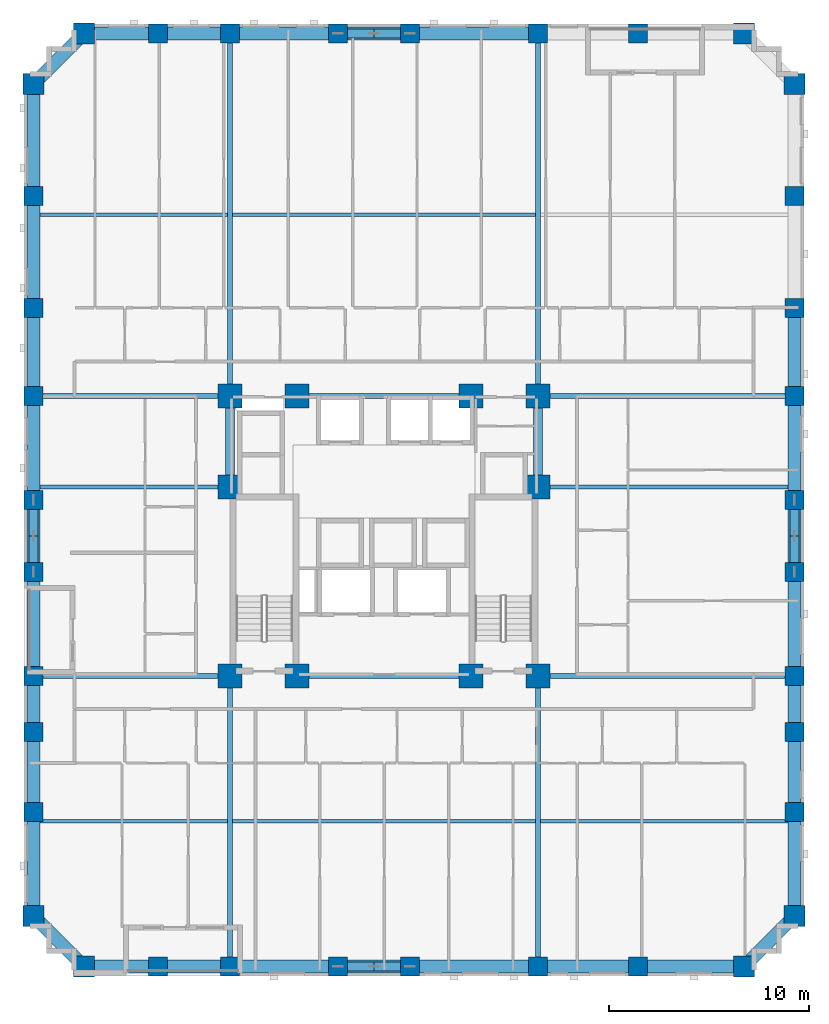
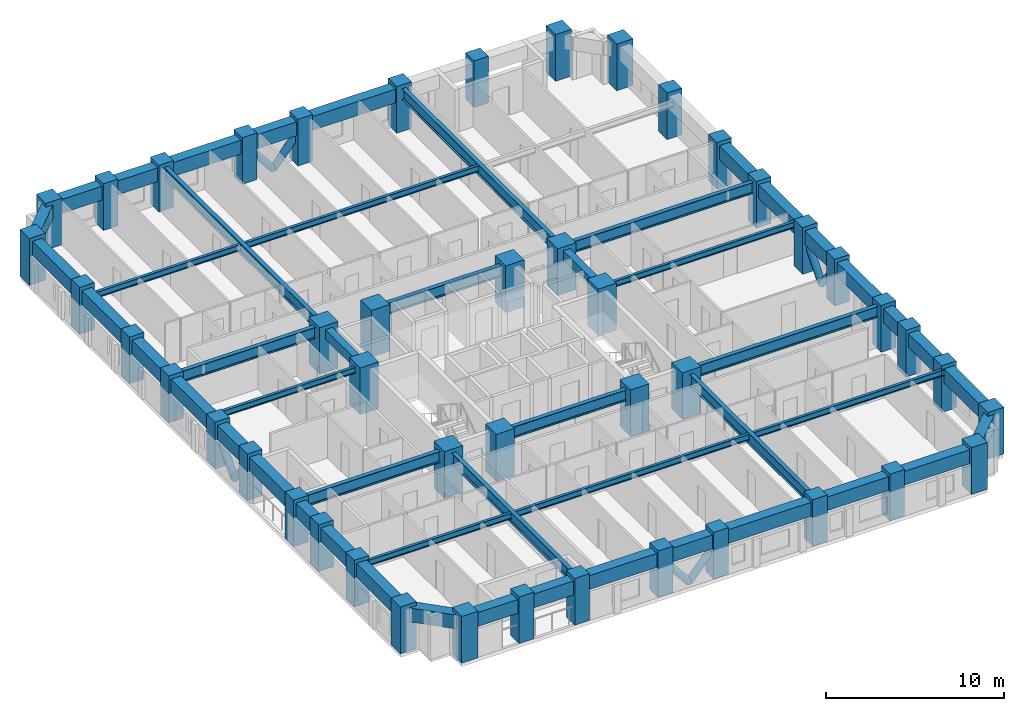
# One storey, part 1 of 14: 50 beams, 46 columns, 8 members.
"""IFC4 building model written with IfcOpenShell, lengths in metres."""

import ifcopenshell
import ifcopenshell.guid

model = None  # the IFC model being written
_history = None  # IfcOwnerHistory: only IFC2X3 demands one
_inside = {}  # id of a spatial element -> (the spatial element, [elements in it])
_under = {}  # id of a project, library or spatial element -> (it, [spatial elements below it])
_declared = {}  # id of a project -> (the project, [libraries it declares])
_typed = {}  # id of a type object -> (the type object, [elements of that type])
_made_of = {}  # id of a material, layer set ... -> (it, [elements and type objects made of it])


def new_model(schema):
    """Start an empty IFC model of exactly this schema.

    Asked for "IFC4X3", IfcOpenShell would pick the latest addendum, in which some entities
    have other attributes; the version numbers below select the first issue.
    IFC2X3 requires an IfcOwnerHistory on every rooted entity: one is made here for all.
    """
    global model, _history
    if schema == "IFC4X3":
        model = ifcopenshell.file(schema_version=(4, 3, 0, 0))
    else:
        model = ifcopenshell.file(schema=schema)
    _inside.clear()
    _under.clear()
    _declared.clear()
    _typed.clear()
    _made_of.clear()
    _history = None
    if model.schema == "IFC2X3":
        org = make("IfcOrganization", Name="unknown")
        user = make(
            "IfcPersonAndOrganization",
            ThePerson=make("IfcPerson", FamilyName="unknown"),
            TheOrganization=org,
        )
        app = make(
            "IfcApplication",
            ApplicationDeveloper=org,
            Version="unknown",
            ApplicationFullName="unknown",
            ApplicationIdentifier="unknown",
        )
        _history = make(
            "IfcOwnerHistory",
            OwningUser=user,
            OwningApplication=app,
            ChangeAction="ADDED",
            CreationDate=0,
        )
    return model


def make(cls, **values):
    """One entity of the class cls with the attributes given. An attribute that is None is left unset."""
    return model.create_entity(
        cls, **{name: value for name, value in values.items() if value is not None}
    )


def rooted(cls, **values):
    """An entity with a GlobalId (a new one), such as an element, a storey or a relation."""
    return make(cls, GlobalId=ifcopenshell.guid.new(), OwnerHistory=_history, **values)


def si_unit(unit_type, name, prefix=None):
    """IfcSIUnit, for example si_unit("LENGTHUNIT", "METRE", prefix="MILLI")."""
    return make("IfcSIUnit", UnitType=unit_type, Prefix=prefix, Name=name)


def derived_unit(unit_type, elements):
    """IfcDerivedUnit: a product of units, each with its exponent."""
    return make(
        "IfcDerivedUnit",
        Elements=[
            make("IfcDerivedUnitElement", Unit=unit, Exponent=power)
            for unit, power in elements
        ],
        UnitType=unit_type,
    )


def assignment(units):
    """IfcUnitAssignment: the units of a project."""
    return None if units is None else make("IfcUnitAssignment", Units=units)


def point(xyz):
    """IfcCartesianPoint."""
    return None if xyz is None else make("IfcCartesianPoint", Coordinates=xyz)


def direction(xyz):
    """IfcDirection."""
    return None if xyz is None else make("IfcDirection", DirectionRatios=xyz)


def frame(location, z_axis=None, x_axis=None):
    """IfcAxis2Placement3D, a coordinate frame: its origin and axes. An axis left out is left unset."""
    return make(
        "IfcAxis2Placement3D",
        Location=point(location),
        Axis=direction(z_axis),
        RefDirection=direction(x_axis),
    )


def frame_2d(location, x_axis=None):
    """IfcAxis2Placement2D, a coordinate frame in the plane: its origin and x axis."""
    return make(
        "IfcAxis2Placement2D", Location=point(location), RefDirection=direction(x_axis)
    )


def origin():
    """The frame at (0, 0, 0) with its axes left unset."""
    return frame((0.0, 0.0, 0.0))


def origin_2d():
    """The frame at (0, 0) in the plane with its x axis left unset."""
    return frame_2d((0.0, 0.0))


def place(relative_to, where):
    """IfcLocalPlacement: puts the frame where relative to a parent placement (None: the world)."""
    return make(
        "IfcLocalPlacement", PlacementRelTo=relative_to, RelativePlacement=where
    )


def context(
    kind, dimensions, precision=None, world=None, true_north=None, identifier=None
):
    """IfcGeometricRepresentationContext, for example the 3D "Model" context."""
    return make(
        "IfcGeometricRepresentationContext",
        ContextIdentifier=identifier,
        ContextType=kind,
        CoordinateSpaceDimension=dimensions,
        Precision=precision,
        WorldCoordinateSystem=world,
        TrueNorth=true_north,
    )


def subcontext(parent, identifier, kind, view, scale=None):
    """IfcGeometricRepresentationSubContext, for example "Body" below "Model"."""
    return make(
        "IfcGeometricRepresentationSubContext",
        ContextIdentifier=identifier,
        ContextType=kind,
        ParentContext=parent,
        TargetScale=scale,
        TargetView=view,
    )


def project(units=None, contexts=None):
    """IfcProject with its units and contexts."""
    return rooted(
        "IfcProject",
        Name="project",
        RepresentationContexts=contexts,
        UnitsInContext=assignment(units),
    )


def spatial(cls, under=None, at=None, **own):
    """A site, building, storey or space (cls), placed at a placement, below another one or the project."""
    s = rooted(cls, ObjectPlacement=at, **own)
    if under is not None:
        _under.setdefault(under.id(), (under, []))[1].append(s)
    return s


def profile(cls, at=None, kind="AREA", **sizes):
    """A parametric profile (cls). Its sizes go by their IFC names, for example OverallWidth=200.0."""
    return make(cls, ProfileType=kind, Position=at, **sizes)


def rectangle(**sizes):
    """IfcRectangleProfileDef."""
    return profile("IfcRectangleProfileDef", **sizes)


def hollow_circle(**sizes):
    """IfcCircleHollowProfileDef."""
    return profile("IfcCircleHollowProfileDef", **sizes)


def i_section(**sizes):
    """IfcIShapeProfileDef."""
    return profile("IfcIShapeProfileDef", **sizes)


def extrude(swept, where, along, depth):
    """IfcExtrudedAreaSolid: the profile swept, set in the frame where, extruded along a direction by depth."""
    return make(
        "IfcExtrudedAreaSolid",
        SweptArea=swept,
        Position=where,
        ExtrudedDirection=direction(along),
        Depth=depth,
    )


def shape(context_of_items, identifier, shape_type, items):
    """IfcShapeRepresentation: the items that make up one representation, for example the "Body"."""
    return make(
        "IfcShapeRepresentation",
        ContextOfItems=context_of_items,
        RepresentationIdentifier=identifier,
        RepresentationType=shape_type,
        Items=items,
    )


def material(Name=None, Category=None):
    """IfcMaterial."""
    return make("IfcMaterial", Name=Name, Category=Category)


def material_profile(
    of_material, cross_section, Name=None, Category=None, Priority=None
):
    """IfcMaterialProfile: a cross section and its material."""
    return make(
        "IfcMaterialProfile",
        Name=Name,
        Material=of_material,
        Profile=cross_section,
        Priority=Priority,
        Category=Category,
    )


def profile_set(profiles, Name=None, composite=None):
    """IfcMaterialProfileSet."""
    return make(
        "IfcMaterialProfileSet",
        Name=Name,
        MaterialProfiles=profiles,
        CompositeProfile=composite,
    )


def made_of(thing, what):
    """Note that an element or type object is made of a material, layer set ...; save() writes the relation."""
    if what is not None:
        _made_of.setdefault(what.id(), (what, []))[1].append(thing)
    return thing


def type_object(cls, material=None, **own):
    """A type object (cls), such as IfcWallType, which elements share."""
    return made_of(rooted(cls, **own), material)


def element(
    cls,
    number,
    at=None,
    inside=None,
    cuts=None,
    type_object=None,
    material=None,
    context=None,
    identifier="Body",
    shape_type=None,
    held_by="IfcProductDefinitionShape",
    body=None,
    shapes=None,
    **own,
):
    """One element of the class cls, such as IfcWall. Its Tag is "e" and its number.

    at: its placement. inside: the storey or other place that contains it. cuts: it is an
    opening in that element (IfcRelVoidsElement). A single representation is given by context,
    identifier, shape_type and body (its items); several are given by shapes. held_by: the class
    of the entity that holds the representations. save() writes the other relations.
    """
    e = rooted(cls, Tag="e%d" % number, ObjectPlacement=at, **own)
    if body is not None:
        shapes = [shape(context, identifier, shape_type, body)]
    if shapes is not None:
        e.Representation = make(held_by, Representations=shapes)
    if inside is not None:
        _inside.setdefault(inside.id(), (inside, []))[1].append(e)
    if cuts is not None:
        rooted(
            "IfcRelVoidsElement", RelatingBuildingElement=cuts, RelatedOpeningElement=e
        )
    if type_object is not None:
        _typed.setdefault(type_object.id(), (type_object, []))[1].append(e)
    return made_of(e, material)


def aggregate(whole, parts):
    """IfcRelAggregates: a whole, such as a stair, and the parts it consists of."""
    return rooted("IfcRelAggregates", RelatingObject=whole, RelatedObjects=parts)


def save(model, path):
    """Write the relations noted so far, then the file.

    IfcRelAggregates (storeys below a building ...), IfcRelContainedInSpatialStructure (elements
    in a storey), IfcRelDefinesByType, IfcRelAssociatesMaterial and IfcRelDeclares: one each for
    every whole, place, type object, material and project.
    """
    for whole, parts in _under.values():
        aggregate(whole, parts)
    for where, things in _inside.values():
        rooted(
            "IfcRelContainedInSpatialStructure",
            RelatedElements=things,
            RelatingStructure=where,
        )
    for kind, things in _typed.values():
        rooted("IfcRelDefinesByType", RelatedObjects=things, RelatingType=kind)
    for what, things in _made_of.values():
        rooted("IfcRelAssociatesMaterial", RelatedObjects=things, RelatingMaterial=what)
    for by, libraries in _declared.values():
        rooted("IfcRelDeclares", RelatingContext=by, RelatedDefinitions=libraries)
    model.write(path)


model = new_model("IFC4")

# Units and contexts
model_context = context("Model", 3, precision=1e-05, world=origin(), true_north=direction((0.0, 1.0)))
body_context = subcontext(model_context, "Body", "Model", "MODEL_VIEW")
ifc_project = project(units=[si_unit("LENGTHUNIT", "METRE"), si_unit("AREAUNIT", "SQUARE_METRE"), si_unit("VOLUMEUNIT", "CUBIC_METRE"), si_unit("PLANEANGLEUNIT", "RADIAN"), si_unit("MASSUNIT", "GRAM", prefix="KILO"), derived_unit("THERMALTRANSMITTANCEUNIT", [(si_unit("MASSUNIT", "GRAM", prefix="KILO"), 1), (si_unit("TIMEUNIT", "SECOND"), -3), (si_unit("THERMODYNAMICTEMPERATUREUNIT", "KELVIN"), -1)])], contexts=[model_context])

# Site, building, storey
site_placement = place(None, origin())
site = spatial("IfcSite", under=ifc_project, at=site_placement, CompositionType="ELEMENT")
building_placement = place(site_placement, origin())
building = spatial("IfcBuilding", under=site, at=building_placement, Name="Korrvale Station Residences", CompositionType="ELEMENT")
storey_placement = place(building_placement, frame((0.0, 0.0, 38.60009765625)))
storey = spatial("IfcBuildingStorey", under=building, at=storey_placement, Name="L09", CompositionType="ELEMENT", Elevation=38.60009765625)

# Columns
ifc_material_1 = material(Name="Concrete C70/85", Category="concrete")
ifc_material_profile_1 = material_profile(ifc_material_1, rectangle(XDim=1.050048828125, YDim=1.050048828125, at=origin_2d()), Name="RC1050x1050")
ifc_profile_set_1 = profile_set([ifc_material_profile_1], Name="Concrete C70/85")
column_type_1 = type_object("IfcColumnType", Name="COL-C-RC1050x1050-C7085", PredefinedType="COLUMN", material=ifc_profile_set_1)
for number, where, z_axis, x_axis, name in (
    (1, (10.5, 0.47998046875, 0.0), (0.0, 0.0, 1.0), (1.0, 0.0, 0.0), "L09 Bundled-Tube South Column 01"),
    (2, (43.5, 0.47998046875, 0.0), (0.0, 0.0, 1.0), (1.0, 0.0, 0.0), "L09 Bundled-Tube South Column 08"),
    (3, (10.5, 47.1201171875, 0.0), (0.0, 0.0, 1.0), (1.0, 0.0, 0.0), "L09 Bundled-Tube North Column 09"),
    (4, (43.5, 47.1201171875, 0.0), (0.0, 0.0, 1.0), (1.0, 0.0, 0.0), "L09 Bundled-Tube North Column 16"),
    (5, (7.97998046875, 3.0, 0.0), (0.0, 0.0, 1.0), (1.0, 0.0, 0.0), "L09 Bundled-Tube West Column 17"),
    (6, (7.97998046875, 44.60009765625, 0.0), (0.0, 0.0, 1.0), (1.0, 0.0, 0.0), "L09 Bundled-Tube West Column 26"),
    (7, (46.02001953125, 3.0, 0.0), (0.0, 0.0, 1.0), (1.0, 0.0, 0.0), "L09 Bundled-Tube East Column 27"),
    (8, (46.02001953125, 44.60009765625, 0.0), (0.0, 0.0, 1.0), (1.0, 0.0, 0.0), "L09 Bundled-Tube East Column 36"),
):
    element("IfcColumn", number, at=place(storey_placement, frame(where, z_axis=z_axis, x_axis=x_axis)), inside=storey, type_object=column_type_1, Name=name, PredefinedType="COLUMN", context=body_context, shape_type="SweptSolid", body=[
        extrude(rectangle(XDim=1.050048828125, YDim=1.050048828125, at=origin_2d()), origin(), (0.0, 0.0, 1.0), 3.199951171875),
    ])
ifc_material_profile_2 = material_profile(ifc_material_1, rectangle(XDim=1.199951171875, YDim=1.199951171875, at=origin_2d()), Name="RC1200x1200")
ifc_profile_set_2 = profile_set([ifc_material_profile_2], Name="Concrete C70/85")
column_type_2 = type_object("IfcColumnType", Name="COL-C-RC1200x1200-C7085", PredefinedType="COLUMN", material=ifc_profile_set_2)
for number, where, z_axis, x_axis, name in (
    (9, (17.800048828125, 15.0, 0.0), (0.0, 0.0, 1.0), (1.0, 0.0, 0.0), "L09 Core Column 01"),
    (10, (21.14990234375, 15.0, 0.0), (0.0, 0.0, 1.0), (1.0, 0.0, 0.0), "L09 Core Column 02"),
    (11, (29.85009765625, 15.0, 0.0), (0.0, 0.0, 1.0), (1.0, 0.0, 0.0), "L09 Core Column 03"),
    (12, (33.199951171875, 15.0, 0.0), (0.0, 0.0, 1.0), (1.0, 0.0, 0.0), "L09 Core Column 04"),
    (13, (17.800048828125, 29.0, 0.0), (0.0, 0.0, 1.0), (1.0, 0.0, 0.0), "L09 Core Column 05"),
    (14, (21.14990234375, 29.0, 0.0), (0.0, 0.0, 1.0), (1.0, 0.0, 0.0), "L09 Core Column 06"),
    (15, (29.85009765625, 29.0, 0.0), (0.0, 0.0, 1.0), (1.0, 0.0, 0.0), "L09 Core Column 07"),
    (16, (33.199951171875, 29.0, 0.0), (0.0, 0.0, 1.0), (1.0, 0.0, 0.0), "L09 Core Column 08"),
    (17, (17.800048828125, 24.449951171875, 0.0), (0.0, 0.0, 1.0), (1.0, 0.0, 0.0), "L09 Core Column 09"),
    (18, (33.199951171875, 24.449951171875, 0.0), (0.0, 0.0, 1.0), (1.0, 0.0, 0.0), "L09 Core Column 10"),
):
    element("IfcColumn", number, at=place(storey_placement, frame(where, z_axis=z_axis, x_axis=x_axis)), inside=storey, type_object=column_type_2, Name=name, PredefinedType="COLUMN", context=body_context, shape_type="SweptSolid", body=[
        extrude(rectangle(XDim=1.199951171875, YDim=1.199951171875, at=origin_2d()), origin(), (0.0, 0.0, 1.0), 3.199951171875),
    ])
ifc_material_profile_3 = material_profile(ifc_material_1, rectangle(XDim=0.949951171875, YDim=0.949951171875, at=origin_2d()), Name="RC950x950")
ifc_profile_set_3 = profile_set([ifc_material_profile_3], Name="Concrete C70/85")
column_type_3 = type_object("IfcColumnType", Name="COL-C-RC950x950-C7085", PredefinedType="COLUMN", material=ifc_profile_set_3)
for number, where, z_axis, x_axis, name in (
    (19, (14.199951171875, 0.47998046875, 0.0), (0.0, 0.0, 1.0), (1.0, 0.0, 0.0), "L09 Bundled-Tube South Column 02"),
    (20, (17.800048828125, 0.47998046875, 0.0), (0.0, 0.0, 1.0), (1.0, 0.0, 0.0), "L09 Bundled-Tube South Column 03"),
    (21, (23.199951171875, 0.47998046875, 0.0), (0.0, 0.0, 1.0), (1.0, 0.0, 0.0), "L09 Bundled-Tube South Column 04"),
    (22, (26.800048828125, 0.47998046875, 0.0), (0.0, 0.0, 1.0), (1.0, 0.0, 0.0), "L09 Bundled-Tube South Column 05"),
    (23, (33.199951171875, 0.47998046875, 0.0), (0.0, 0.0, 1.0), (1.0, 0.0, 0.0), "L09 Bundled-Tube South Column 06"),
    (24, (38.199951171875, 0.47998046875, 0.0), (0.0, 0.0, 1.0), (1.0, 0.0, 0.0), "L09 Bundled-Tube South Column 07"),
    (25, (14.199951171875, 47.1201171875, 0.0), (0.0, 0.0, 1.0), (1.0, 0.0, 0.0), "L09 Bundled-Tube North Column 10"),
    (26, (17.800048828125, 47.1201171875, 0.0), (0.0, 0.0, 1.0), (1.0, 0.0, 0.0), "L09 Bundled-Tube North Column 11"),
    (27, (23.199951171875, 47.1201171875, 0.0), (0.0, 0.0, 1.0), (1.0, 0.0, 0.0), "L09 Bundled-Tube North Column 12"),
    (28, (26.800048828125, 47.1201171875, 0.0), (0.0, 0.0, 1.0), (1.0, 0.0, 0.0), "L09 Bundled-Tube North Column 13"),
    (29, (33.199951171875, 47.1201171875, 0.0), (0.0, 0.0, 1.0), (1.0, 0.0, 0.0), "L09 Bundled-Tube North Column 14"),
    (30, (38.199951171875, 47.1201171875, 0.0), (0.0, 0.0, 1.0), (1.0, 0.0, 0.0), "L09 Bundled-Tube North Column 15"),
    (31, (7.97998046875, 8.199951171875, 0.0), (0.0, 0.0, 1.0), (1.0, 0.0, 0.0), "L09 Bundled-Tube West Column 18"),
    (32, (7.97998046875, 12.199951171875, 0.0), (0.0, 0.0, 1.0), (1.0, 0.0, 0.0), "L09 Bundled-Tube West Column 19"),
    (33, (7.97998046875, 15.0, 0.0), (0.0, 0.0, 1.0), (1.0, 0.0, 0.0), "L09 Bundled-Tube West Column 20"),
    (34, (7.97998046875, 20.199951171875, 0.0), (0.0, 0.0, 1.0), (1.0, 0.0, 0.0), "L09 Bundled-Tube West Column 21"),
    (35, (7.97998046875, 23.800048828125, 0.0), (0.0, 0.0, 1.0), (1.0, 0.0, 0.0), "L09 Bundled-Tube West Column 22"),
    (36, (7.97998046875, 29.0, 0.0), (0.0, 0.0, 1.0), (1.0, 0.0, 0.0), "L09 Bundled-Tube West Column 23"),
    (37, (7.97998046875, 33.39990234375, 0.0), (0.0, 0.0, 1.0), (1.0, 0.0, 0.0), "L09 Bundled-Tube West Column 24"),
    (38, (7.97998046875, 39.0, 0.0), (0.0, 0.0, 1.0), (1.0, 0.0, 0.0), "L09 Bundled-Tube West Column 25"),
    (39, (46.02001953125, 8.199951171875, 0.0), (0.0, 0.0, 1.0), (1.0, 0.0, 0.0), "L09 Bundled-Tube East Column 28"),
    (40, (46.02001953125, 12.199951171875, 0.0), (0.0, 0.0, 1.0), (1.0, 0.0, 0.0), "L09 Bundled-Tube East Column 29"),
    (41, (46.02001953125, 15.0, 0.0), (0.0, 0.0, 1.0), (1.0, 0.0, 0.0), "L09 Bundled-Tube East Column 30"),
    (42, (46.02001953125, 20.199951171875, 0.0), (0.0, 0.0, 1.0), (1.0, 0.0, 0.0), "L09 Bundled-Tube East Column 31"),
    (43, (46.02001953125, 23.800048828125, 0.0), (0.0, 0.0, 1.0), (1.0, 0.0, 0.0), "L09 Bundled-Tube East Column 32"),
    (44, (46.02001953125, 29.0, 0.0), (0.0, 0.0, 1.0), (1.0, 0.0, 0.0), "L09 Bundled-Tube East Column 33"),
    (45, (46.02001953125, 33.39990234375, 0.0), (0.0, 0.0, 1.0), (1.0, 0.0, 0.0), "L09 Bundled-Tube East Column 34"),
    (46, (46.02001953125, 39.0, 0.0), (0.0, 0.0, 1.0), (1.0, 0.0, 0.0), "L09 Bundled-Tube East Column 35"),
):
    element("IfcColumn", number, at=place(storey_placement, frame(where, z_axis=z_axis, x_axis=x_axis)), inside=storey, type_object=column_type_3, Name=name, PredefinedType="COLUMN", context=body_context, shape_type="SweptSolid", body=[
        extrude(rectangle(XDim=0.949951171875, YDim=0.949951171875, at=origin_2d()), origin(), (0.0, 0.0, 1.0), 3.199951171875),
    ])

# Beams
ifc_material_2 = material(Name="Steel S355", Category="steel")
ifc_material_profile_4 = material_profile(ifc_material_2, i_section(OverallWidth=0.26806640625, OverallDepth=0.77001953125, WebThickness=0.015625, FlangeThickness=0.025390625, FilletRadius=0.02197265625, at=origin_2d()), Name="W760x196")
ifc_profile_set_4 = profile_set([ifc_material_profile_4], Name="Steel S355")
beam_type_1 = type_object("IfcBeamType", Name="BM-BM-W760x196-S355", PredefinedType="BEAM", material=ifc_profile_set_4)
for number, where, z_axis, x_axis, name in (
    (47, (17.800048828125, 0.47998046875, 2.554931640625), (0.0, 1.0, 0.0), (-1.0, 0.0, 0.0), "L09 Bundled-Tube Web Girder 01"),
    (48, (33.199951171875, 0.47998046875, 2.554931640625), (0.0, 1.0, 0.0), (-1.0, 0.0, 0.0), "L09 Bundled-Tube Web Girder 02"),
):
    element("IfcBeam", number, at=place(storey_placement, frame(where, z_axis=z_axis, x_axis=x_axis)), inside=storey, type_object=beam_type_1, Name=name, PredefinedType="BEAM", context=body_context, shape_type="SweptSolid", body=[
        extrude(i_section(OverallWidth=0.26806640625, OverallDepth=0.77001953125, WebThickness=0.015625, FlangeThickness=0.025390625, FilletRadius=0.02197265625, at=origin_2d()), origin(), (0.0, 0.0, 1.0), 14.52001953125),
    ])
for number, where, z_axis, x_axis, name in (
    (49, (17.800048828125, 29.0, 2.554931640625), (0.0, 1.0, 0.0), (-1.0, 0.0, 0.0), "L09 Bundled-Tube Web Girder 03"),
    (50, (33.199951171875, 29.0, 2.554931640625), (0.0, 1.0, 0.0), (-1.0, 0.0, 0.0), "L09 Bundled-Tube Web Girder 04"),
):
    element("IfcBeam", number, at=place(storey_placement, frame(where, z_axis=z_axis, x_axis=x_axis)), inside=storey, type_object=beam_type_1, Name=name, PredefinedType="BEAM", context=body_context, shape_type="SweptSolid", body=[
        extrude(i_section(OverallWidth=0.26806640625, OverallDepth=0.77001953125, WebThickness=0.015625, FlangeThickness=0.025390625, FilletRadius=0.02197265625, at=origin_2d()), origin(), (0.0, 0.0, 1.0), 18.1201171875),
    ])
beam_1_placement = place(storey_placement, frame((7.97998046875, 15.0, 2.554931640625), z_axis=(1.0, 0.0, 0.0), x_axis=(0.0, 1.0, 0.0)))
element("IfcBeam", 51, at=beam_1_placement, inside=storey, type_object=beam_type_1, Name="L09 Bundled-Tube Web Girder 05", PredefinedType="BEAM", context=body_context, shape_type="SweptSolid", body=[
    extrude(i_section(OverallWidth=0.26806640625, OverallDepth=0.77001953125, WebThickness=0.015625, FlangeThickness=0.025390625, FilletRadius=0.02197265625, at=origin_2d()), origin(), (0.0, 0.0, 1.0), 9.820068359375),
])
beam_2_placement = place(storey_placement, frame((33.199951171875, 15.0, 2.554931640625), z_axis=(1.0, 0.0, 0.0), x_axis=(0.0, 1.0, 0.0)))
element("IfcBeam", 52, at=beam_2_placement, inside=storey, type_object=beam_type_1, Name="L09 Bundled-Tube Web Girder 06", PredefinedType="BEAM", context=body_context, shape_type="SweptSolid", body=[
    extrude(i_section(OverallWidth=0.26806640625, OverallDepth=0.77001953125, WebThickness=0.015625, FlangeThickness=0.025390625, FilletRadius=0.02197265625, at=origin_2d()), origin(), (0.0, 0.0, 1.0), 12.820068359375),
])
beam_3_placement = place(storey_placement, frame((7.97998046875, 29.0, 2.554931640625), z_axis=(1.0, 0.0, 0.0), x_axis=(0.0, 1.0, 0.0)))
element("IfcBeam", 53, at=beam_3_placement, inside=storey, type_object=beam_type_1, Name="L09 Bundled-Tube Web Girder 07", PredefinedType="BEAM", context=body_context, shape_type="SweptSolid", body=[
    extrude(i_section(OverallWidth=0.26806640625, OverallDepth=0.77001953125, WebThickness=0.015625, FlangeThickness=0.025390625, FilletRadius=0.02197265625, at=origin_2d()), origin(), (0.0, 0.0, 1.0), 9.820068359375),
])
beam_4_placement = place(storey_placement, frame((33.199951171875, 29.0, 2.554931640625), z_axis=(1.0, 0.0, 0.0), x_axis=(0.0, 1.0, 0.0)))
element("IfcBeam", 54, at=beam_4_placement, inside=storey, type_object=beam_type_1, Name="L09 Bundled-Tube Web Girder 08", PredefinedType="BEAM", context=body_context, shape_type="SweptSolid", body=[
    extrude(i_section(OverallWidth=0.26806640625, OverallDepth=0.77001953125, WebThickness=0.015625, FlangeThickness=0.025390625, FilletRadius=0.02197265625, at=origin_2d()), origin(), (0.0, 0.0, 1.0), 12.820068359375),
])
for number, where, z_axis, x_axis, name in (
    (55, (21.14990234375, 15.0, 2.554931640625), (1.0, 0.0, 0.0), (0.0, 1.0, 0.0), "L09 Bundled-Tube Web Girder 09"),
    (56, (21.14990234375, 29.0, 2.554931640625), (1.0, 0.0, 0.0), (0.0, 1.0, 0.0), "L09 Bundled-Tube Web Girder 10"),
):
    element("IfcBeam", number, at=place(storey_placement, frame(where, z_axis=z_axis, x_axis=x_axis)), inside=storey, type_object=beam_type_1, Name=name, PredefinedType="BEAM", context=body_context, shape_type="SweptSolid", body=[
        extrude(i_section(OverallWidth=0.26806640625, OverallDepth=0.77001953125, WebThickness=0.015625, FlangeThickness=0.025390625, FilletRadius=0.02197265625, at=origin_2d()), origin(), (0.0, 0.0, 1.0), 8.7001953125),
    ])
ifc_material_profile_5 = material_profile(ifc_material_2, i_section(OverallWidth=0.180908203125, OverallDepth=0.4169921875, WebThickness=0.010986328125, FlangeThickness=0.018310546875, FilletRadius=0.01611328125, at=origin_2d()), Name="W410x85")
ifc_profile_set_5 = profile_set([ifc_material_profile_5], Name="Steel S355")
beam_type_2 = type_object("IfcBeamType", Name="BM-JST-W410x85-S355", PredefinedType="JOIST", material=ifc_profile_set_5)
beam_5_placement = place(storey_placement, frame((8.304931640625, 7.739990234375, 2.7314453125), z_axis=(1.0, 0.0, 0.0), x_axis=(0.0, 1.0, 0.0)))
element("IfcBeam", 57, at=beam_5_placement, inside=storey, type_object=beam_type_2, Name="L09 Floor Framing Joist 01", PredefinedType="JOIST", context=body_context, shape_type="SweptSolid", body=[
    extrude(i_section(OverallWidth=0.180908203125, OverallDepth=0.4169921875, WebThickness=0.010986328125, FlangeThickness=0.018310546875, FilletRadius=0.01611328125, at=origin_2d()), origin(), (0.0, 0.0, 1.0), 9.361083984375),
])
beam_6_placement = place(storey_placement, frame((17.93408203125, 7.739990234375, 2.7314453125), z_axis=(1.0, 0.0, 0.0), x_axis=(0.0, 1.0, 0.0)))
element("IfcBeam", 58, at=beam_6_placement, inside=storey, type_object=beam_type_2, Name="L09 Floor Framing Joist 02", PredefinedType="JOIST", context=body_context, shape_type="SweptSolid", body=[
    extrude(i_section(OverallWidth=0.180908203125, OverallDepth=0.4169921875, WebThickness=0.010986328125, FlangeThickness=0.018310546875, FilletRadius=0.01611328125, at=origin_2d()), origin(), (0.0, 0.0, 1.0), 15.1318359375),
])
beam_7_placement = place(storey_placement, frame((33.333984375, 7.739990234375, 2.7314453125), z_axis=(1.0, 0.0, 0.0), x_axis=(0.0, 1.0, 0.0)))
element("IfcBeam", 59, at=beam_7_placement, inside=storey, type_object=beam_type_2, Name="L09 Floor Framing Joist 03", PredefinedType="JOIST", context=body_context, shape_type="SweptSolid", body=[
    extrude(i_section(OverallWidth=0.180908203125, OverallDepth=0.4169921875, WebThickness=0.010986328125, FlangeThickness=0.018310546875, FilletRadius=0.01611328125, at=origin_2d()), origin(), (0.0, 0.0, 1.0), 12.361083984375),
])
beam_8_placement = place(storey_placement, frame((8.304931640625, 38.06005859375, 2.7314453125), z_axis=(1.0, 0.0, 0.0), x_axis=(0.0, 1.0, 0.0)))
element("IfcBeam", 60, at=beam_8_placement, inside=storey, type_object=beam_type_2, Name="L09 Floor Framing Joist 04", PredefinedType="JOIST", context=body_context, shape_type="SweptSolid", body=[
    extrude(i_section(OverallWidth=0.180908203125, OverallDepth=0.4169921875, WebThickness=0.010986328125, FlangeThickness=0.018310546875, FilletRadius=0.01611328125, at=origin_2d()), origin(), (0.0, 0.0, 1.0), 9.361083984375),
])
beam_9_placement = place(storey_placement, frame((17.93408203125, 38.06005859375, 2.7314453125), z_axis=(1.0, 0.0, 0.0), x_axis=(0.0, 1.0, 0.0)))
element("IfcBeam", 61, at=beam_9_placement, inside=storey, type_object=beam_type_2, Name="L09 Floor Framing Joist 05", PredefinedType="JOIST", context=body_context, shape_type="SweptSolid", body=[
    extrude(i_section(OverallWidth=0.180908203125, OverallDepth=0.4169921875, WebThickness=0.010986328125, FlangeThickness=0.018310546875, FilletRadius=0.01611328125, at=origin_2d()), origin(), (0.0, 0.0, 1.0), 15.1318359375),
])
beam_10_placement = place(storey_placement, frame((33.425048828125, 24.449951171875, 2.7314453125), z_axis=(1.0, 0.0, 0.0), x_axis=(0.0, 1.0, 0.0)))
element("IfcBeam", 62, at=beam_10_placement, inside=storey, type_object=beam_type_2, Name="L09 Floor Framing Joist 07", PredefinedType="JOIST", context=body_context, shape_type="SweptSolid", body=[
    extrude(i_section(OverallWidth=0.180908203125, OverallDepth=0.4169921875, WebThickness=0.010986328125, FlangeThickness=0.018310546875, FilletRadius=0.01611328125, at=origin_2d()), origin(), (0.0, 0.0, 1.0), 12.27001953125),
])
beam_11_placement = place(storey_placement, frame((8.304931640625, 24.449951171875, 2.7314453125), z_axis=(1.0, 0.0, 0.0), x_axis=(0.0, 1.0, 0.0)))
element("IfcBeam", 63, at=beam_11_placement, inside=storey, type_object=beam_type_2, Name="L09 Floor Framing Joist 08", PredefinedType="JOIST", context=body_context, shape_type="SweptSolid", body=[
    extrude(i_section(OverallWidth=0.180908203125, OverallDepth=0.4169921875, WebThickness=0.010986328125, FlangeThickness=0.018310546875, FilletRadius=0.01611328125, at=origin_2d()), origin(), (0.0, 0.0, 1.0), 9.27001953125),
])
ifc_material_profile_6 = material_profile(ifc_material_1, rectangle(XDim=0.449951171875, YDim=0.64990234375, at=origin_2d()), Name="RCB450x650")
ifc_profile_set_6 = profile_set([ifc_material_profile_6], Name="Concrete C70/85")
beam_type_3 = type_object("IfcBeamType", Name="BM-LNT-RCB450x650-C7085", PredefinedType="LINTEL", material=ifc_profile_set_6)
for number, where, z_axis, x_axis, name in (
    (64, (17.800048828125, 24.449951171875, 2.614990234375), (0.0, 1.0, 0.0), (-1.0, 0.0, 0.0), "L09 Core Coupling Lintel 1"),
    (65, (33.199951171875, 24.449951171875, 2.614990234375), (0.0, 1.0, 0.0), (-1.0, 0.0, 0.0), "L09 Core Coupling Lintel 2"),
):
    element("IfcBeam", number, at=place(storey_placement, frame(where, z_axis=z_axis, x_axis=x_axis)), inside=storey, type_object=beam_type_3, Name=name, PredefinedType="LINTEL", context=body_context, shape_type="SweptSolid", body=[
        extrude(rectangle(XDim=0.449951171875, YDim=0.64990234375, at=origin_2d()), origin(), (0.0, 0.0, 1.0), 4.550048828125),
    ])
ifc_material_profile_7 = material_profile(ifc_material_1, rectangle(XDim=0.64990234375, YDim=0.949951171875, at=origin_2d()), Name="RCB650x950")
ifc_profile_set_7 = profile_set([ifc_material_profile_7], Name="Concrete C70/85")
beam_type_4 = type_object("IfcBeamType", Name="BM-SPB-RCB650x950-C7085", PredefinedType="SPANDREL", material=ifc_profile_set_7)
beam_12_placement = place(storey_placement, frame((10.5, 0.47998046875, 2.46484375), z_axis=(1.0, 0.0, 0.0), x_axis=(0.0, 1.0, 0.0)))
element("IfcBeam", 66, at=beam_12_placement, inside=storey, type_object=beam_type_4, Name="L09 South Tube Spandrel 01", PredefinedType="SPANDREL", context=body_context, shape_type="SweptSolid", body=[
    extrude(rectangle(XDim=0.64990234375, YDim=0.949951171875, at=origin_2d()), origin(), (0.0, 0.0, 1.0), 3.699951171875),
])
beam_13_placement = place(storey_placement, frame((14.199951171875, 0.47998046875, 2.46484375), z_axis=(1.0, 0.0, 0.0), x_axis=(0.0, 1.0, 0.0)))
element("IfcBeam", 67, at=beam_13_placement, inside=storey, type_object=beam_type_4, Name="L09 South Tube Spandrel 02", PredefinedType="SPANDREL", context=body_context, shape_type="SweptSolid", body=[
    extrude(rectangle(XDim=0.64990234375, YDim=0.949951171875, at=origin_2d()), origin(), (0.0, 0.0, 1.0), 3.60009765625),
])
beam_14_placement = place(storey_placement, frame((17.800048828125, 0.47998046875, 2.46484375), z_axis=(1.0, 0.0, 0.0), x_axis=(0.0, 1.0, 0.0)))
element("IfcBeam", 68, at=beam_14_placement, inside=storey, type_object=beam_type_4, Name="L09 South Tube Spandrel 03", PredefinedType="SPANDREL", context=body_context, shape_type="SweptSolid", body=[
    extrude(rectangle(XDim=0.64990234375, YDim=0.949951171875, at=origin_2d()), origin(), (0.0, 0.0, 1.0), 5.39990234375),
])
beam_15_placement = place(storey_placement, frame((23.199951171875, 0.47998046875, 2.46484375), z_axis=(1.0, 0.0, 0.0), x_axis=(0.0, 1.0, 0.0)))
element("IfcBeam", 69, at=beam_15_placement, inside=storey, type_object=beam_type_4, Name="L09 South Tube Spandrel 04", PredefinedType="SPANDREL", context=body_context, shape_type="SweptSolid", body=[
    extrude(rectangle(XDim=0.64990234375, YDim=0.949951171875, at=origin_2d()), origin(), (0.0, 0.0, 1.0), 3.60009765625),
])
beam_16_placement = place(storey_placement, frame((26.800048828125, 0.47998046875, 2.46484375), z_axis=(1.0, 0.0, 0.0), x_axis=(0.0, 1.0, 0.0)))
element("IfcBeam", 70, at=beam_16_placement, inside=storey, type_object=beam_type_4, Name="L09 South Tube Spandrel 05", PredefinedType="SPANDREL", context=body_context, shape_type="SweptSolid", body=[
    extrude(rectangle(XDim=0.64990234375, YDim=0.949951171875, at=origin_2d()), origin(), (0.0, 0.0, 1.0), 6.39990234375),
])
beam_17_placement = place(storey_placement, frame((33.199951171875, 0.47998046875, 2.46484375), z_axis=(1.0, 0.0, 0.0), x_axis=(0.0, 1.0, 0.0)))
element("IfcBeam", 71, at=beam_17_placement, inside=storey, type_object=beam_type_4, Name="L09 South Tube Spandrel 06", PredefinedType="SPANDREL", context=body_context, shape_type="SweptSolid", body=[
    extrude(rectangle(XDim=0.64990234375, YDim=0.949951171875, at=origin_2d()), origin(), (0.0, 0.0, 1.0), 5.0),
])
beam_18_placement = place(storey_placement, frame((38.199951171875, 0.47998046875, 2.46484375), z_axis=(1.0, 0.0, 0.0), x_axis=(0.0, 1.0, 0.0)))
element("IfcBeam", 72, at=beam_18_placement, inside=storey, type_object=beam_type_4, Name="L09 South Tube Spandrel 07", PredefinedType="SPANDREL", context=body_context, shape_type="SweptSolid", body=[
    extrude(rectangle(XDim=0.64990234375, YDim=0.949951171875, at=origin_2d()), origin(), (0.0, 0.0, 1.0), 5.300048828125),
])
beam_19_placement = place(storey_placement, frame((10.5, 47.1201171875, 2.46484375), z_axis=(1.0, 0.0, 0.0), x_axis=(0.0, 1.0, 0.0)))
element("IfcBeam", 73, at=beam_19_placement, inside=storey, type_object=beam_type_4, Name="L09 North Tube Spandrel 08", PredefinedType="SPANDREL", context=body_context, shape_type="SweptSolid", body=[
    extrude(rectangle(XDim=0.64990234375, YDim=0.949951171875, at=origin_2d()), origin(), (0.0, 0.0, 1.0), 3.699951171875),
])
beam_20_placement = place(storey_placement, frame((14.199951171875, 47.1201171875, 2.46484375), z_axis=(1.0, 0.0, 0.0), x_axis=(0.0, 1.0, 0.0)))
element("IfcBeam", 74, at=beam_20_placement, inside=storey, type_object=beam_type_4, Name="L09 North Tube Spandrel 09", PredefinedType="SPANDREL", context=body_context, shape_type="SweptSolid", body=[
    extrude(rectangle(XDim=0.64990234375, YDim=0.949951171875, at=origin_2d()), origin(), (0.0, 0.0, 1.0), 3.60009765625),
])
beam_21_placement = place(storey_placement, frame((17.800048828125, 47.1201171875, 2.46484375), z_axis=(1.0, 0.0, 0.0), x_axis=(0.0, 1.0, 0.0)))
element("IfcBeam", 75, at=beam_21_placement, inside=storey, type_object=beam_type_4, Name="L09 North Tube Spandrel 10", PredefinedType="SPANDREL", context=body_context, shape_type="SweptSolid", body=[
    extrude(rectangle(XDim=0.64990234375, YDim=0.949951171875, at=origin_2d()), origin(), (0.0, 0.0, 1.0), 5.39990234375),
])
beam_22_placement = place(storey_placement, frame((23.199951171875, 47.1201171875, 2.46484375), z_axis=(1.0, 0.0, 0.0), x_axis=(0.0, 1.0, 0.0)))
element("IfcBeam", 76, at=beam_22_placement, inside=storey, type_object=beam_type_4, Name="L09 North Tube Spandrel 11", PredefinedType="SPANDREL", context=body_context, shape_type="SweptSolid", body=[
    extrude(rectangle(XDim=0.64990234375, YDim=0.949951171875, at=origin_2d()), origin(), (0.0, 0.0, 1.0), 3.60009765625),
])
beam_23_placement = place(storey_placement, frame((26.800048828125, 47.1201171875, 2.46484375), z_axis=(1.0, 0.0, 0.0), x_axis=(0.0, 1.0, 0.0)))
element("IfcBeam", 77, at=beam_23_placement, inside=storey, type_object=beam_type_4, Name="L09 North Tube Spandrel 12", PredefinedType="SPANDREL", context=body_context, shape_type="SweptSolid", body=[
    extrude(rectangle(XDim=0.64990234375, YDim=0.949951171875, at=origin_2d()), origin(), (0.0, 0.0, 1.0), 6.39990234375),
])
beam_24_placement = place(storey_placement, frame((7.97998046875, 3.0, 2.46484375), z_axis=(0.0, 1.0, 0.0), x_axis=(-1.0, 0.0, 0.0)))
element("IfcBeam", 78, at=beam_24_placement, inside=storey, type_object=beam_type_4, Name="L09 West Tube Spandrel 15", PredefinedType="SPANDREL", context=body_context, shape_type="SweptSolid", body=[
    extrude(rectangle(XDim=0.64990234375, YDim=0.949951171875, at=origin_2d()), origin(), (0.0, 0.0, 1.0), 5.199951171875),
])
beam_25_placement = place(storey_placement, frame((7.97998046875, 8.199951171875, 2.46484375), z_axis=(0.0, 1.0, 0.0), x_axis=(-1.0, 0.0, 0.0)))
element("IfcBeam", 79, at=beam_25_placement, inside=storey, type_object=beam_type_4, Name="L09 West Tube Spandrel 16", PredefinedType="SPANDREL", context=body_context, shape_type="SweptSolid", body=[
    extrude(rectangle(XDim=0.64990234375, YDim=0.949951171875, at=origin_2d()), origin(), (0.0, 0.0, 1.0), 4.0),
])
beam_26_placement = place(storey_placement, frame((7.97998046875, 12.199951171875, 2.46484375), z_axis=(0.0, 1.0, 0.0), x_axis=(-1.0, 0.0, 0.0)))
element("IfcBeam", 80, at=beam_26_placement, inside=storey, type_object=beam_type_4, Name="L09 West Tube Spandrel 17", PredefinedType="SPANDREL", context=body_context, shape_type="SweptSolid", body=[
    extrude(rectangle(XDim=0.64990234375, YDim=0.949951171875, at=origin_2d()), origin(), (0.0, 0.0, 1.0), 2.800048828125),
])
beam_27_placement = place(storey_placement, frame((7.97998046875, 15.0, 2.46484375), z_axis=(0.0, 1.0, 0.0), x_axis=(-1.0, 0.0, 0.0)))
element("IfcBeam", 81, at=beam_27_placement, inside=storey, type_object=beam_type_4, Name="L09 West Tube Spandrel 18", PredefinedType="SPANDREL", context=body_context, shape_type="SweptSolid", body=[
    extrude(rectangle(XDim=0.64990234375, YDim=0.949951171875, at=origin_2d()), origin(), (0.0, 0.0, 1.0), 5.199951171875),
])
beam_28_placement = place(storey_placement, frame((7.97998046875, 20.199951171875, 2.46484375), z_axis=(0.0, 1.0, 0.0), x_axis=(-1.0, 0.0, 0.0)))
element("IfcBeam", 82, at=beam_28_placement, inside=storey, type_object=beam_type_4, Name="L09 West Tube Spandrel 19", PredefinedType="SPANDREL", context=body_context, shape_type="SweptSolid", body=[
    extrude(rectangle(XDim=0.64990234375, YDim=0.949951171875, at=origin_2d()), origin(), (0.0, 0.0, 1.0), 3.60009765625),
])
beam_29_placement = place(storey_placement, frame((7.97998046875, 23.800048828125, 2.46484375), z_axis=(0.0, 1.0, 0.0), x_axis=(-1.0, 0.0, 0.0)))
element("IfcBeam", 83, at=beam_29_placement, inside=storey, type_object=beam_type_4, Name="L09 West Tube Spandrel 20", PredefinedType="SPANDREL", context=body_context, shape_type="SweptSolid", body=[
    extrude(rectangle(XDim=0.64990234375, YDim=0.949951171875, at=origin_2d()), origin(), (0.0, 0.0, 1.0), 5.199951171875),
])
beam_30_placement = place(storey_placement, frame((7.97998046875, 29.0, 2.46484375), z_axis=(0.0, 1.0, 0.0), x_axis=(-1.0, 0.0, 0.0)))
element("IfcBeam", 84, at=beam_30_placement, inside=storey, type_object=beam_type_4, Name="L09 West Tube Spandrel 21", PredefinedType="SPANDREL", context=body_context, shape_type="SweptSolid", body=[
    extrude(rectangle(XDim=0.64990234375, YDim=0.949951171875, at=origin_2d()), origin(), (0.0, 0.0, 1.0), 4.39990234375),
])
for number, where, z_axis, x_axis, name in (
    (85, (7.97998046875, 33.39990234375, 2.46484375), (0.0, 1.0, 0.0), (-1.0, 0.0, 0.0), "L09 West Tube Spandrel 22"),
    (86, (7.97998046875, 39.0, 2.46484375), (0.0, 1.0, 0.0), (-1.0, 0.0, 0.0), "L09 West Tube Spandrel 23"),
):
    element("IfcBeam", number, at=place(storey_placement, frame(where, z_axis=z_axis, x_axis=x_axis)), inside=storey, type_object=beam_type_4, Name=name, PredefinedType="SPANDREL", context=body_context, shape_type="SweptSolid", body=[
        extrude(rectangle(XDim=0.64990234375, YDim=0.949951171875, at=origin_2d()), origin(), (0.0, 0.0, 1.0), 5.60009765625),
    ])
beam_31_placement = place(storey_placement, frame((46.02001953125, 3.0, 2.46484375), z_axis=(0.0, 1.0, 0.0), x_axis=(-1.0, 0.0, 0.0)))
element("IfcBeam", 87, at=beam_31_placement, inside=storey, type_object=beam_type_4, Name="L09 East Tube Spandrel 24", PredefinedType="SPANDREL", context=body_context, shape_type="SweptSolid", body=[
    extrude(rectangle(XDim=0.64990234375, YDim=0.949951171875, at=origin_2d()), origin(), (0.0, 0.0, 1.0), 5.199951171875),
])
beam_32_placement = place(storey_placement, frame((46.02001953125, 8.199951171875, 2.46484375), z_axis=(0.0, 1.0, 0.0), x_axis=(-1.0, 0.0, 0.0)))
element("IfcBeam", 88, at=beam_32_placement, inside=storey, type_object=beam_type_4, Name="L09 East Tube Spandrel 25", PredefinedType="SPANDREL", context=body_context, shape_type="SweptSolid", body=[
    extrude(rectangle(XDim=0.64990234375, YDim=0.949951171875, at=origin_2d()), origin(), (0.0, 0.0, 1.0), 4.0),
])
beam_33_placement = place(storey_placement, frame((46.02001953125, 12.199951171875, 2.46484375), z_axis=(0.0, 1.0, 0.0), x_axis=(-1.0, 0.0, 0.0)))
element("IfcBeam", 89, at=beam_33_placement, inside=storey, type_object=beam_type_4, Name="L09 East Tube Spandrel 26", PredefinedType="SPANDREL", context=body_context, shape_type="SweptSolid", body=[
    extrude(rectangle(XDim=0.64990234375, YDim=0.949951171875, at=origin_2d()), origin(), (0.0, 0.0, 1.0), 2.800048828125),
])
beam_34_placement = place(storey_placement, frame((46.02001953125, 15.0, 2.46484375), z_axis=(0.0, 1.0, 0.0), x_axis=(-1.0, 0.0, 0.0)))
element("IfcBeam", 90, at=beam_34_placement, inside=storey, type_object=beam_type_4, Name="L09 East Tube Spandrel 27", PredefinedType="SPANDREL", context=body_context, shape_type="SweptSolid", body=[
    extrude(rectangle(XDim=0.64990234375, YDim=0.949951171875, at=origin_2d()), origin(), (0.0, 0.0, 1.0), 5.199951171875),
])
beam_35_placement = place(storey_placement, frame((46.02001953125, 20.199951171875, 2.46484375), z_axis=(0.0, 1.0, 0.0), x_axis=(-1.0, 0.0, 0.0)))
element("IfcBeam", 91, at=beam_35_placement, inside=storey, type_object=beam_type_4, Name="L09 East Tube Spandrel 28", PredefinedType="SPANDREL", context=body_context, shape_type="SweptSolid", body=[
    extrude(rectangle(XDim=0.64990234375, YDim=0.949951171875, at=origin_2d()), origin(), (0.0, 0.0, 1.0), 3.60009765625),
])
beam_36_placement = place(storey_placement, frame((46.02001953125, 23.800048828125, 2.46484375), z_axis=(0.0, 1.0, 0.0), x_axis=(-1.0, 0.0, 0.0)))
element("IfcBeam", 92, at=beam_36_placement, inside=storey, type_object=beam_type_4, Name="L09 East Tube Spandrel 29", PredefinedType="SPANDREL", context=body_context, shape_type="SweptSolid", body=[
    extrude(rectangle(XDim=0.64990234375, YDim=0.949951171875, at=origin_2d()), origin(), (0.0, 0.0, 1.0), 5.199951171875),
])
beam_37_placement = place(storey_placement, frame((46.02001953125, 29.0, 2.46484375), z_axis=(0.0, 1.0, 0.0), x_axis=(-1.0, 0.0, 0.0)))
element("IfcBeam", 93, at=beam_37_placement, inside=storey, type_object=beam_type_4, Name="L09 East Tube Spandrel 30", PredefinedType="SPANDREL", context=body_context, shape_type="SweptSolid", body=[
    extrude(rectangle(XDim=0.64990234375, YDim=0.949951171875, at=origin_2d()), origin(), (0.0, 0.0, 1.0), 4.39990234375),
])
for number, where, z_axis, x_axis, name in (
    (94, (10.5, 0.47998046875, 2.46484375), (-0.707106781187, 0.707106781187, 0.0), (-0.707106781187, -0.707106781187, 0.0), "L09 Serrated Corner Spandrel 33"),
    (95, (43.5, 0.47998046875, 2.46484375), (0.707106781187, 0.707106781187, 0.0), (-0.707106781187, 0.707106781187, 0.0), "L09 Serrated Corner Spandrel 34"),
    (96, (10.5, 47.1201171875, 2.46484375), (-0.707106781187, -0.707106781187, 0.0), (0.707106781187, -0.707106781187, 0.0), "L09 Serrated Corner Spandrel 36"),
):
    element("IfcBeam", number, at=place(storey_placement, frame(where, z_axis=z_axis, x_axis=x_axis)), inside=storey, type_object=beam_type_4, Name=name, PredefinedType="SPANDREL", context=body_context, shape_type="SweptSolid", body=[
        extrude(rectangle(XDim=0.64990234375, YDim=0.949951171875, at=origin_2d()), origin(), (0.0, 0.0, 1.0), 3.56396484375),
    ])

# Members
ifc_material_profile_8 = material_profile(ifc_material_2, hollow_circle(Radius=0.228515625, WallThickness=0.01904296875, at=origin_2d()), Name="HSS457x19")
ifc_profile_set_8 = profile_set([ifc_material_profile_8], Name="Steel S355")
member_type = type_object("IfcMemberType", Name="MBR-BR-HSS457x19", PredefinedType="BRACE", material=ifc_profile_set_8)
for number, where, z_axis, x_axis, name in (
    (97, (25.0, 0.47998046875, 0.02001953125), (-0.634985494602, 0.0, 0.772524058942), (0.0, -1.0, 0.0), "L09 S Perimeter Tube Wind Brace 1"),
    (98, (25.0, 0.47998046875, 0.02001953125), (0.634985494602, 0.0, 0.772524058942), (0.0, 1.0, 0.0), "L09 S Perimeter Tube Wind Brace 2"),
    (99, (25.0, 47.1201171875, 0.02001953125), (-0.634985494602, 0.0, 0.772524058942), (0.0, -1.0, 0.0), "L09 N Perimeter Tube Wind Brace 1"),
    (100, (25.0, 47.1201171875, 0.02001953125), (0.634985494602, 0.0, 0.772524058942), (0.0, 1.0, 0.0), "L09 N Perimeter Tube Wind Brace 2"),
    (101, (7.97998046875, 22.0, 0.02001953125), (0.0, -0.634985494602, 0.772524058942), (1.0, 0.0, 0.0), "L09 W Perimeter Tube Wind Brace 1"),
    (102, (7.97998046875, 22.0, 0.02001953125), (0.0, 0.634985494602, 0.772524058942), (-1.0, 0.0, 0.0), "L09 W Perimeter Tube Wind Brace 2"),
    (103, (46.02001953125, 22.0, 0.02001953125), (0.0, -0.634985494602, 0.772524058942), (1.0, 0.0, 0.0), "L09 E Perimeter Tube Wind Brace 1"),
    (104, (46.02001953125, 22.0, 0.02001953125), (0.0, 0.634985494602, 0.772524058942), (-1.0, 0.0, 0.0), "L09 E Perimeter Tube Wind Brace 2"),
):
    element("IfcMember", number, at=place(storey_placement, frame(where, z_axis=z_axis, x_axis=x_axis)), inside=storey, type_object=member_type, Name=name, PredefinedType="BRACE", context=body_context, shape_type="SweptSolid", body=[
        extrude(hollow_circle(Radius=0.228515625, WallThickness=0.01904296875, at=origin_2d()), origin(), (0.0, 0.0, 1.0), 2.834716796875),
    ])

save(model, "model.ifc")
